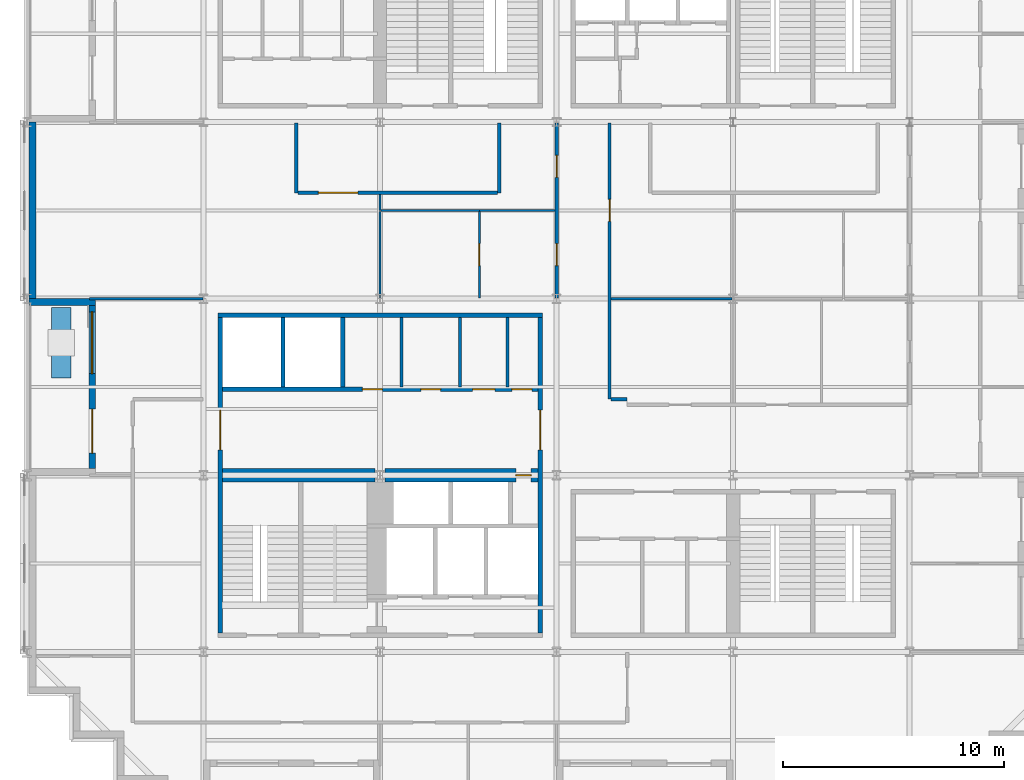
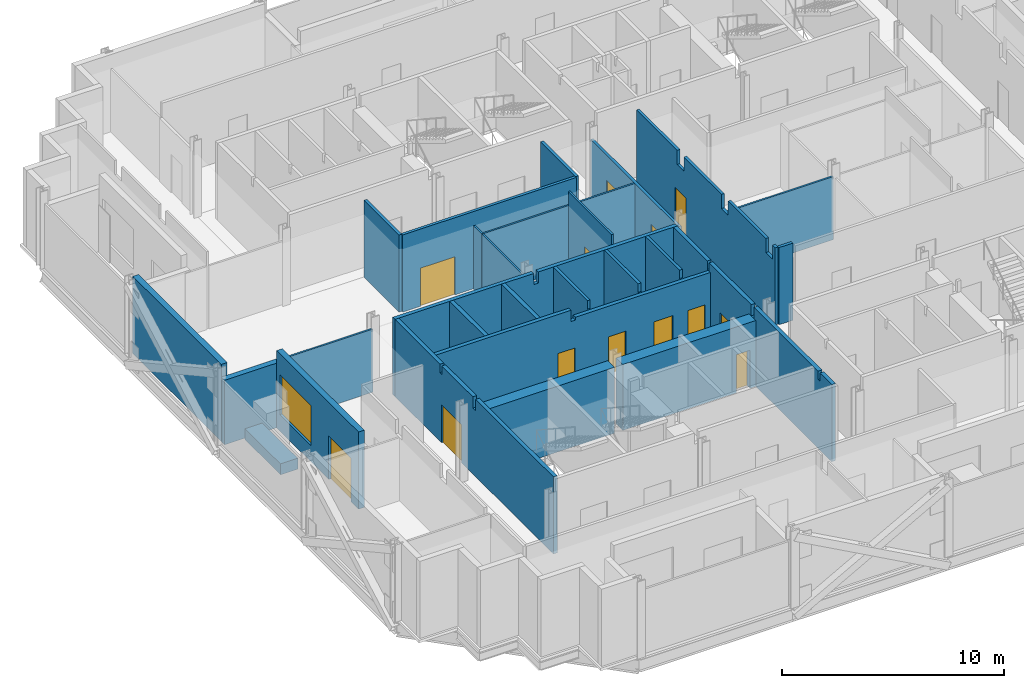
# One storey, part 7 of 15: 28 walls, 13 doors, 1 window, 14 openings.
"""IFC4 building model written with IfcOpenShell, lengths in metres."""

import ifcopenshell
import ifcopenshell.guid

model = None  # the IFC model being written
_history = None  # IfcOwnerHistory: only IFC2X3 demands one
_inside = {}  # id of a spatial element -> (the spatial element, [elements in it])
_under = {}  # id of a project, library or spatial element -> (it, [spatial elements below it])
_declared = {}  # id of a project -> (the project, [libraries it declares])
_typed = {}  # id of a type object -> (the type object, [elements of that type])
_made_of = {}  # id of a material, layer set ... -> (it, [elements and type objects made of it])


def new_model(schema):
    """Start an empty IFC model of exactly this schema.

    Asked for "IFC4X3", IfcOpenShell would pick the latest addendum, in which some entities
    have other attributes; the version numbers below select the first issue.
    IFC2X3 requires an IfcOwnerHistory on every rooted entity: one is made here for all.
    """
    global model, _history
    if schema == "IFC4X3":
        model = ifcopenshell.file(schema_version=(4, 3, 0, 0))
    else:
        model = ifcopenshell.file(schema=schema)
    _inside.clear()
    _under.clear()
    _declared.clear()
    _typed.clear()
    _made_of.clear()
    _history = None
    if model.schema == "IFC2X3":
        org = make("IfcOrganization", Name="unknown")
        user = make(
            "IfcPersonAndOrganization",
            ThePerson=make("IfcPerson", FamilyName="unknown"),
            TheOrganization=org,
        )
        app = make(
            "IfcApplication",
            ApplicationDeveloper=org,
            Version="unknown",
            ApplicationFullName="unknown",
            ApplicationIdentifier="unknown",
        )
        _history = make(
            "IfcOwnerHistory",
            OwningUser=user,
            OwningApplication=app,
            ChangeAction="ADDED",
            CreationDate=0,
        )
    return model


def make(cls, **values):
    """One entity of the class cls with the attributes given. An attribute that is None is left unset."""
    return model.create_entity(
        cls, **{name: value for name, value in values.items() if value is not None}
    )


def rooted(cls, **values):
    """An entity with a GlobalId (a new one), such as an element, a storey or a relation."""
    return make(cls, GlobalId=ifcopenshell.guid.new(), OwnerHistory=_history, **values)


def si_unit(unit_type, name, prefix=None):
    """IfcSIUnit, for example si_unit("LENGTHUNIT", "METRE", prefix="MILLI")."""
    return make("IfcSIUnit", UnitType=unit_type, Prefix=prefix, Name=name)


def assignment(units):
    """IfcUnitAssignment: the units of a project."""
    return None if units is None else make("IfcUnitAssignment", Units=units)


def point(xyz):
    """IfcCartesianPoint."""
    return None if xyz is None else make("IfcCartesianPoint", Coordinates=xyz)


def direction(xyz):
    """IfcDirection."""
    return None if xyz is None else make("IfcDirection", DirectionRatios=xyz)


def frame(location, z_axis=None, x_axis=None):
    """IfcAxis2Placement3D, a coordinate frame: its origin and axes. An axis left out is left unset."""
    return make(
        "IfcAxis2Placement3D",
        Location=point(location),
        Axis=direction(z_axis),
        RefDirection=direction(x_axis),
    )


def frame_2d(location, x_axis=None):
    """IfcAxis2Placement2D, a coordinate frame in the plane: its origin and x axis."""
    return make(
        "IfcAxis2Placement2D", Location=point(location), RefDirection=direction(x_axis)
    )


def origin():
    """The frame at (0, 0, 0) with its axes left unset."""
    return frame((0.0, 0.0, 0.0))


def place(relative_to, where):
    """IfcLocalPlacement: puts the frame where relative to a parent placement (None: the world)."""
    return make(
        "IfcLocalPlacement", PlacementRelTo=relative_to, RelativePlacement=where
    )


def context(
    kind, dimensions, precision=None, world=None, true_north=None, identifier=None
):
    """IfcGeometricRepresentationContext, for example the 3D "Model" context."""
    return make(
        "IfcGeometricRepresentationContext",
        ContextIdentifier=identifier,
        ContextType=kind,
        CoordinateSpaceDimension=dimensions,
        Precision=precision,
        WorldCoordinateSystem=world,
        TrueNorth=true_north,
    )


def subcontext(parent, identifier, kind, view, scale=None):
    """IfcGeometricRepresentationSubContext, for example "Body" below "Model"."""
    return make(
        "IfcGeometricRepresentationSubContext",
        ContextIdentifier=identifier,
        ContextType=kind,
        ParentContext=parent,
        TargetScale=scale,
        TargetView=view,
    )


def project(units=None, contexts=None):
    """IfcProject with its units and contexts."""
    return rooted(
        "IfcProject",
        Name="project",
        RepresentationContexts=contexts,
        UnitsInContext=assignment(units),
    )


def spatial(cls, under=None, at=None, **own):
    """A site, building, storey or space (cls), placed at a placement, below another one or the project."""
    s = rooted(cls, ObjectPlacement=at, **own)
    if under is not None:
        _under.setdefault(under.id(), (under, []))[1].append(s)
    return s


def polyline(points):
    """IfcPolyline through the points."""
    return make("IfcPolyline", Points=[point(p) for p in points])


def profile(cls, at=None, kind="AREA", **sizes):
    """A parametric profile (cls). Its sizes go by their IFC names, for example OverallWidth=200.0."""
    return make(cls, ProfileType=kind, Position=at, **sizes)


def rectangle(**sizes):
    """IfcRectangleProfileDef."""
    return profile("IfcRectangleProfileDef", **sizes)


def outline(outer, holes=None, kind="AREA"):
    """IfcArbitraryClosedProfileDef: a profile drawn as a closed curve; with holes, ...WithVoids."""
    if holes is None:
        return make("IfcArbitraryClosedProfileDef", ProfileType=kind, OuterCurve=outer)
    return make(
        "IfcArbitraryProfileDefWithVoids",
        ProfileType=kind,
        OuterCurve=outer,
        InnerCurves=holes,
    )


def extrude(swept, where, along, depth):
    """IfcExtrudedAreaSolid: the profile swept, set in the frame where, extruded along a direction by depth."""
    return make(
        "IfcExtrudedAreaSolid",
        SweptArea=swept,
        Position=where,
        ExtrudedDirection=direction(along),
        Depth=depth,
    )


def shape(context_of_items, identifier, shape_type, items):
    """IfcShapeRepresentation: the items that make up one representation, for example the "Body"."""
    return make(
        "IfcShapeRepresentation",
        ContextOfItems=context_of_items,
        RepresentationIdentifier=identifier,
        RepresentationType=shape_type,
        Items=items,
    )


def material(Name=None, Category=None):
    """IfcMaterial."""
    return make("IfcMaterial", Name=Name, Category=Category)


def layer(
    of_material, thickness, ventilated=None, Name=None, Category=None, Priority=None
):
    """IfcMaterialLayer: one layer of a wall or slab, of a material (None: an air gap)."""
    return make(
        "IfcMaterialLayer",
        Material=of_material,
        LayerThickness=thickness,
        IsVentilated=ventilated,
        Name=Name,
        Category=Category,
        Priority=Priority,
    )


def layer_set(layers, Name=None):
    """IfcMaterialLayerSet."""
    return make("IfcMaterialLayerSet", MaterialLayers=layers, LayerSetName=Name)


def made_of(thing, what):
    """Note that an element or type object is made of a material, layer set ...; save() writes the relation."""
    if what is not None:
        _made_of.setdefault(what.id(), (what, []))[1].append(thing)
    return thing


def type_object(cls, material=None, **own):
    """A type object (cls), such as IfcWallType, which elements share."""
    return made_of(rooted(cls, **own), material)


def element(
    cls,
    number,
    at=None,
    inside=None,
    cuts=None,
    type_object=None,
    material=None,
    context=None,
    identifier="Body",
    shape_type=None,
    held_by="IfcProductDefinitionShape",
    body=None,
    shapes=None,
    **own,
):
    """One element of the class cls, such as IfcWall. Its Tag is "e" and its number.

    at: its placement. inside: the storey or other place that contains it. cuts: it is an
    opening in that element (IfcRelVoidsElement). A single representation is given by context,
    identifier, shape_type and body (its items); several are given by shapes. held_by: the class
    of the entity that holds the representations. save() writes the other relations.
    """
    e = rooted(cls, Tag="e%d" % number, ObjectPlacement=at, **own)
    if body is not None:
        shapes = [shape(context, identifier, shape_type, body)]
    if shapes is not None:
        e.Representation = make(held_by, Representations=shapes)
    if inside is not None:
        _inside.setdefault(inside.id(), (inside, []))[1].append(e)
    if cuts is not None:
        rooted(
            "IfcRelVoidsElement", RelatingBuildingElement=cuts, RelatedOpeningElement=e
        )
    if type_object is not None:
        _typed.setdefault(type_object.id(), (type_object, []))[1].append(e)
    return made_of(e, material)


def fill(opening, filler):
    """IfcRelFillsElement: the door or window that sits in an opening."""
    return rooted(
        "IfcRelFillsElement",
        RelatingOpeningElement=opening,
        RelatedBuildingElement=filler,
    )


def aggregate(whole, parts):
    """IfcRelAggregates: a whole, such as a stair, and the parts it consists of."""
    return rooted("IfcRelAggregates", RelatingObject=whole, RelatedObjects=parts)


def save(model, path):
    """Write the relations noted so far, then the file.

    IfcRelAggregates (storeys below a building ...), IfcRelContainedInSpatialStructure (elements
    in a storey), IfcRelDefinesByType, IfcRelAssociatesMaterial and IfcRelDeclares: one each for
    every whole, place, type object, material and project.
    """
    for whole, parts in _under.values():
        aggregate(whole, parts)
    for where, things in _inside.values():
        rooted(
            "IfcRelContainedInSpatialStructure",
            RelatedElements=things,
            RelatingStructure=where,
        )
    for kind, things in _typed.values():
        rooted("IfcRelDefinesByType", RelatedObjects=things, RelatingType=kind)
    for what, things in _made_of.values():
        rooted("IfcRelAssociatesMaterial", RelatedObjects=things, RelatingMaterial=what)
    for by, libraries in _declared.values():
        rooted("IfcRelDeclares", RelatingContext=by, RelatedDefinitions=libraries)
    model.write(path)


model = new_model("IFC4")

# Units and contexts
model_context = context("Model", 3, precision=1e-05, world=origin(), true_north=direction((0.0, 1.0)))
body_context = subcontext(model_context, "Body", "Model", "MODEL_VIEW")
ifc_project = project(units=[si_unit("LENGTHUNIT", "METRE"), si_unit("AREAUNIT", "SQUARE_METRE"), si_unit("VOLUMEUNIT", "CUBIC_METRE"), si_unit("PLANEANGLEUNIT", "RADIAN"), si_unit("MASSUNIT", "GRAM", prefix="KILO")], contexts=[model_context])

# Site, building, storey
site_placement = place(None, origin())
site = spatial("IfcSite", under=ifc_project, at=site_placement, CompositionType="ELEMENT")
building_placement = place(site_placement, origin())
building = spatial("IfcBuilding", under=site, at=building_placement, Name="Immortelle Media Tower", CompositionType="ELEMENT")
storey_placement = place(building_placement, frame((0.0, 0.0, 92.0)))
storey = spatial("IfcBuildingStorey", under=building, at=storey_placement, Name="L17", CompositionType="ELEMENT", Elevation=92.0)

# Wall, opening, door
ifc_material_1 = material(Name="Fire-rated masonry blockwork", Category="masonry")
ifc_layer_1 = layer(ifc_material_1, 0.60009765625)
ifc_layer_set_1 = layer_set([ifc_layer_1], Name="Fire-rated masonry blockwork")
wall_type_1 = type_object("IfcWallType", Name="Core grid-line wall 600", PredefinedType="PARTITIONING", material=ifc_layer_set_1)
wall_1_placement = place(storey_placement, frame((16.218505859375, 16.0, 0.0), z_axis=(0.0, 0.0, 1.0), x_axis=(1.0, 0.0, 0.0)))
wall_1 = element("IfcWall", 1, at=wall_1_placement, inside=storey, type_object=wall_type_1, Name="Core grid-line wall SW", PredefinedType="PARTITIONING", context=body_context, shape_type="SweptSolid", body=[
    extrude(rectangle(XDim=6.931396484375, YDim=0.60009765625, at=frame_2d((3.4658203125, 0.0))), origin(), (0.0, 0.0, 1.0), 3.632080078125),
])
opening_1_placement = place(wall_1_placement, frame((6.63134765625, 0.0, 0.0), z_axis=(0.0, 0.0, 1.0), x_axis=(-1.0, 0.0, 0.0)))
opening_1 = element("IfcOpeningElement", 2, at=opening_1_placement, cuts=wall_1, Name="Opening N5-K015", PredefinedType="OPENING", context=body_context, shape_type="SweptSolid", body=[
    extrude(rectangle(XDim=0.699951171875, YDim=2.10009765625, at=frame_2d((0.35009765625, 1.050048828125))), frame((0.0, 0.31005859375, 0.0), z_axis=(0.0, -1.0, 0.0), x_axis=(1.0, 0.0, 0.0)), (0.0, 0.0, 1.0), 0.6201171875),
])
ifc_material_2 = material(Name="Galvanised steel door leaf and frame ASTM A653", Category="steel")
door_type_1 = type_object("IfcDoorType", Name="Service door 700 x 2100", OperationType="NOTDEFINED", PredefinedType="NOTDEFINED", material=ifc_material_2)
door_1_placement = place(opening_1_placement, origin())
door_1 = element("IfcDoor", 3, at=door_1_placement, inside=storey, type_object=door_type_1, Name="Service N5-K015", OperationType="SINGLE_SWING_RIGHT", OverallHeight=2.10009765625, OverallWidth=0.699951171875, PredefinedType="NOTDEFINED", context=body_context, shape_type="SweptSolid", body=[
    extrude(rectangle(XDim=0.699951171875, YDim=2.10009765625, at=frame_2d((0.35009765625, 1.050048828125))), frame((0.0, 0.02490234375, 0.0), z_axis=(0.0, -1.0, 0.0), x_axis=(1.0, 0.0, 0.0)), (0.0, 0.0, 1.0), 0.050048828125),
])
fill(opening_1, door_1)

# Walls
ifc_material_3 = material(Name="Fire-rated gypsum board", Category="gypsum")
ifc_layer_2 = layer(ifc_material_3, 0.02490234375)
ifc_material_4 = material(Name="Steel ASTM A653 SS Gr 50 stud frame with mineral wool", Category="steel")
ifc_layer_3 = layer(ifc_material_4, 0.10009765625)
ifc_layer_4 = layer(ifc_material_3, 0.02490234375)
ifc_layer_set_2 = layer_set([ifc_layer_2, ifc_layer_3, ifc_layer_4], Name="Steel ASTM A653 SS Gr 50 stud frame with mineral wool")
wall_type_2 = type_object("IfcWallType", Name="Core partition 150", PredefinedType="PARTITIONING", material=ifc_layer_set_2)
for number, where, z_axis, x_axis, name in (
    (4, (16.97509765625, 20.0, 0.0), (0.0, 0.0, 1.0), (0.0, 1.0, 0.0), "Core partition SW"),
    (5, (19.625, 20.0, 0.0), (0.0, 0.0, 1.0), (0.0, 1.0, 0.0), "Core partition SW"),
    (6, (21.77490234375, 20.0, 0.0), (0.0, 0.0, 1.0), (0.0, 1.0, 0.0), "Core partition SW"),
):
    element("IfcWall", number, at=place(storey_placement, frame(where, z_axis=z_axis, x_axis=x_axis)), inside=storey, type_object=wall_type_2, Name=name, PredefinedType="PARTITIONING", context=body_context, shape_type="SweptSolid", body=[
        extrude(outline(polyline([(0.0, 0.0), (3.14990234375, 0.0), (3.14990234375, 4.25), (0.08154296875, 4.25), (0.08056640625, 3.7890625), (0.0, 3.7890625), (0.0, 0.0)])), frame((0.0, 0.074951171875, 0.0), z_axis=(0.0, -1.0, 0.0), x_axis=(1.0, 0.0, 0.0)), (0.0, 0.0, 1.0), 0.14990234375),
    ])
ifc_layer_5 = layer(ifc_material_3, 0.03759765625)
ifc_layer_6 = layer(ifc_material_4, 0.125)
ifc_layer_7 = layer(ifc_material_3, 0.03759765625)
ifc_layer_set_3 = layer_set([ifc_layer_5, ifc_layer_6, ifc_layer_7], Name="Steel ASTM A653 SS Gr 50 stud frame with mineral wool")
wall_type_3 = type_object("IfcWallType", Name="Core shaft wall 200", PredefinedType="PARTITIONING", material=ifc_layer_set_3)
wall_2_placement = place(storey_placement, frame((8.64990234375, 23.25, 0.0), z_axis=(0.0, 0.0, 1.0), x_axis=(1.0, 0.0, 0.0)))
element("IfcWall", 7, at=wall_2_placement, inside=storey, type_object=wall_type_3, Name="Core shaft wall SW", PredefinedType="PARTITIONING", context=body_context, shape_type="SweptSolid", body=[
    extrude(outline(polyline([(0.0, 0.0), (14.7001953125, 0.0), (14.699951171875, 4.25), (7.469482421875, 4.25), (7.468505859375, 3.632080078125), (7.2314453125, 3.632080078125), (7.23046875, 4.25), (0.0, 4.25), (0.0, 0.0)])), frame((0.0, 0.10009765625, 0.0), z_axis=(0.0, -1.0, 0.0), x_axis=(1.0, 0.0, 0.0)), (0.0, 0.0, 1.0), 0.199951171875),
])

# Wall, openings, doors
wall_3_placement = place(storey_placement, frame((8.85009765625, 19.89990234375, 0.0), z_axis=(0.0, 0.0, 1.0), x_axis=(1.0, 0.0, 0.0)))
wall_3 = element("IfcWall", 8, at=wall_3_placement, inside=storey, type_object=wall_type_3, Name="Core shaft wall SW", PredefinedType="PARTITIONING", context=body_context, shape_type="SweptSolid", body=[
    extrude(outline(polyline([(0.0, 0.0), (14.2998046875, 0.0), (14.300048828125, 3.7890625), (7.26953125, 3.7890625), (7.2685546875, 3.632080078125), (7.031494140625, 3.632080078125), (7.030517578125, 4.25), (0.0, 4.25), (0.0, 0.0)])), frame((0.0, 0.10009765625, 0.0), z_axis=(0.0, -1.0, 0.0), x_axis=(1.0, 0.0, 0.0)), (0.0, 0.0, 1.0), 0.199951171875),
])
opening_2_placement = place(wall_3_placement, frame((6.35009765625, 0.0, 0.0)))
opening_2 = element("IfcOpeningElement", 9, at=opening_2_placement, cuts=wall_3, Name="Opening N5-K040", PredefinedType="OPENING", context=body_context, shape_type="SweptSolid", body=[
    extrude(rectangle(XDim=0.89990234375, YDim=2.10009765625, at=frame_2d((0.449951171875, 1.050048828125))), frame((0.0, 0.10986328125, 0.0), z_axis=(0.0, -1.0, 0.0), x_axis=(1.0, 0.0, 0.0)), (0.0, 0.0, 1.0), 0.219970703125),
])
opening_3_placement = place(wall_3_placement, frame((9.0, 0.0, 0.0)))
opening_3 = element("IfcOpeningElement", 10, at=opening_3_placement, cuts=wall_3, Name="Opening N5-K041", PredefinedType="OPENING", context=body_context, shape_type="SweptSolid", body=[
    extrude(rectangle(XDim=0.89990234375, YDim=2.10009765625, at=frame_2d((0.449951171875, 1.050048828125))), frame((0.0, 0.10986328125, 0.0), z_axis=(0.0, -1.0, 0.0), x_axis=(1.0, 0.0, 0.0)), (0.0, 0.0, 1.0), 0.219970703125),
])
opening_4_placement = place(wall_3_placement, frame((11.35009765625, 0.0, 0.0)))
opening_4 = element("IfcOpeningElement", 11, at=opening_4_placement, cuts=wall_3, Name="Opening N5-K042", PredefinedType="OPENING", context=body_context, shape_type="SweptSolid", body=[
    extrude(rectangle(XDim=1.0, YDim=2.10009765625, at=frame_2d((0.5, 1.050048828125))), frame((0.0, 0.10986328125, 0.0), z_axis=(0.0, -1.0, 0.0), x_axis=(1.0, 0.0, 0.0)), (0.0, 0.0, 1.0), 0.219970703125),
])
opening_5_placement = place(wall_3_placement, frame((13.125, 0.0, 0.0)))
opening_5 = element("IfcOpeningElement", 12, at=opening_5_placement, cuts=wall_3, Name="Opening N5-K043", PredefinedType="OPENING", context=body_context, shape_type="SweptSolid", body=[
    extrude(rectangle(XDim=0.89990234375, YDim=2.10009765625, at=frame_2d((0.449951171875, 1.050048828125))), frame((0.0, 0.10986328125, 0.0), z_axis=(0.0, -1.0, 0.0), x_axis=(1.0, 0.0, 0.0)), (0.0, 0.0, 1.0), 0.219970703125),
])
ifc_material_5 = material(Name="Timber", Category="wood")
door_type_2 = type_object("IfcDoorType", Name="Accessible toilet door 1000 x 2100", OperationType="NOTDEFINED", PredefinedType="NOTDEFINED", material=ifc_material_5)
door_2_placement = place(opening_4_placement, origin())
door_2 = element("IfcDoor", 13, at=door_2_placement, inside=storey, type_object=door_type_2, Name="Accessible toilet N5-K042", OperationType="SINGLE_SWING_LEFT", OverallHeight=2.10009765625, OverallWidth=1.0, PredefinedType="NOTDEFINED", context=body_context, shape_type="SweptSolid", body=[
    extrude(rectangle(XDim=1.0, YDim=2.10009765625, at=frame_2d((0.5, 1.050048828125))), frame((0.0, 0.02490234375, 0.0), z_axis=(0.0, -1.0, 0.0), x_axis=(1.0, 0.0, 0.0)), (0.0, 0.0, 1.0), 0.050048828125),
])
fill(opening_4, door_2)
door_type_3 = type_object("IfcDoorType", Name="Service door 900 x 2100", OperationType="NOTDEFINED", PredefinedType="NOTDEFINED", material=ifc_material_2)
door_3_placement = place(opening_5_placement, origin())
door_3 = element("IfcDoor", 14, at=door_3_placement, inside=storey, type_object=door_type_3, Name="Service N5-K043", OperationType="SINGLE_SWING_RIGHT", OverallHeight=2.10009765625, OverallWidth=0.89990234375, PredefinedType="NOTDEFINED", context=body_context, shape_type="SweptSolid", body=[
    extrude(rectangle(XDim=0.89990234375, YDim=2.10009765625, at=frame_2d((0.449951171875, 1.050048828125))), frame((0.0, 0.02490234375, 0.0), z_axis=(0.0, -1.0, 0.0), x_axis=(1.0, 0.0, 0.0)), (0.0, 0.0, 1.0), 0.050048828125),
])
fill(opening_5, door_3)
door_type_4 = type_object("IfcDoorType", Name="Toilet door 900 x 2100", OperationType="NOTDEFINED", PredefinedType="NOTDEFINED", material=ifc_material_5)
door_4_placement = place(opening_2_placement, origin())
door_4 = element("IfcDoor", 15, at=door_4_placement, inside=storey, type_object=door_type_4, Name="Toilet N5-K040", OperationType="SINGLE_SWING_RIGHT", OverallHeight=2.10009765625, OverallWidth=0.89990234375, PredefinedType="NOTDEFINED", context=body_context, shape_type="SweptSolid", body=[
    extrude(rectangle(XDim=0.89990234375, YDim=2.10009765625, at=frame_2d((0.449951171875, 1.050048828125))), frame((0.0, 0.02490234375, 0.0), z_axis=(0.0, -1.0, 0.0), x_axis=(1.0, 0.0, 0.0)), (0.0, 0.0, 1.0), 0.050048828125),
])
fill(opening_2, door_4)
door_5_placement = place(opening_3_placement, origin())
door_5 = element("IfcDoor", 16, at=door_5_placement, inside=storey, type_object=door_type_4, Name="Toilet N5-K041", OperationType="SINGLE_SWING_LEFT", OverallHeight=2.10009765625, OverallWidth=0.89990234375, PredefinedType="NOTDEFINED", context=body_context, shape_type="SweptSolid", body=[
    extrude(rectangle(XDim=0.89990234375, YDim=2.10009765625, at=frame_2d((0.449951171875, 1.050048828125))), frame((0.0, 0.02490234375, 0.0), z_axis=(0.0, -1.0, 0.0), x_axis=(1.0, 0.0, 0.0)), (0.0, 0.0, 1.0), 0.050048828125),
])
fill(opening_3, door_5)

# Walls
for number, where, z_axis, x_axis, name in (
    (17, (11.60009765625, 20.0, 0.0), (0.0, 0.0, 1.0), (0.0, 1.0, 0.0), "Core shaft wall SW"),
    (18, (14.300048828125, 20.0, 0.0), (0.0, 0.0, 1.0), (0.0, 1.0, 0.0), "Core shaft wall SW"),
):
    element("IfcWall", number, at=place(storey_placement, frame(where, z_axis=z_axis, x_axis=x_axis)), inside=storey, type_object=wall_type_3, Name=name, PredefinedType="PARTITIONING", context=body_context, shape_type="SweptSolid", body=[
        extrude(rectangle(XDim=3.14990234375, YDim=0.199951171875, at=frame_2d((1.574951171875, 0.0))), origin(), (0.0, 0.0, 1.0), 4.25),
    ])

# Wall, opening, door
wall_4_placement = place(storey_placement, frame((23.25, 8.85009765625, 0.0), z_axis=(0.0, 0.0, 1.0), x_axis=(0.0, 1.0, 0.0)))
wall_4 = element("IfcWall", 19, at=wall_4_placement, inside=storey, type_object=wall_type_3, Name="Core shaft wall SW", PredefinedType="PARTITIONING", context=body_context, shape_type="SweptSolid", body=[
    extrude(outline(polyline([(0.0, 0.0), (14.2998046875, 0.0), (14.300048828125, 4.25), (11.2314453125, 4.25), (11.23046875, 3.7890625), (11.069580078125, 3.7890625), (11.068603515625, 4.25), (7.26953125, 4.25), (7.2685546875, 3.632080078125), (7.031494140625, 3.632080078125), (7.030517578125, 4.25), (1.2314453125, 4.25), (1.23046875, 3.7890625), (1.069580078125, 3.7890625), (1.068603515625, 4.25), (0.0, 4.25), (0.0, 0.0)])), frame((0.0, 0.10009765625, 0.0), z_axis=(0.0, -1.0, 0.0), x_axis=(1.0, 0.0, 0.0)), (0.0, 0.0, 1.0), 0.199951171875),
])
opening_6_placement = place(wall_4_placement, frame((8.300048828125, 0.0, 0.0)))
opening_6 = element("IfcOpeningElement", 20, at=opening_6_placement, cuts=wall_4, Name="Opening N5-K016", PredefinedType="OPENING", context=body_context, shape_type="SweptSolid", body=[
    extrude(rectangle(XDim=1.800048828125, YDim=2.10009765625, at=frame_2d((0.89990234375, 1.050048828125))), frame((0.0, 0.10986328125, 0.0), z_axis=(0.0, -1.0, 0.0), x_axis=(1.0, 0.0, 0.0)), (0.0, 0.0, 1.0), 0.219970703125),
])
door_type_5 = type_object("IfcDoorType", Name="Lift lobby door 1800 x 2100", OperationType="DOUBLE_DOOR_SINGLE_SWING", PredefinedType="NOTDEFINED", material=ifc_material_2)
door_6_placement = place(opening_6_placement, origin())
door_6 = element("IfcDoor", 21, at=door_6_placement, inside=storey, type_object=door_type_5, Name="Lift lobby N5-K016", OperationType="DOUBLE_DOOR_SINGLE_SWING", OverallHeight=2.10009765625, OverallWidth=1.800048828125, PredefinedType="NOTDEFINED", context=body_context, shape_type="SweptSolid", body=[
    extrude(rectangle(XDim=1.800048828125, YDim=2.10009765625, at=frame_2d((0.89990234375, 1.050048828125))), frame((0.0, 0.02490234375, 0.0), z_axis=(0.0, -1.0, 0.0), x_axis=(1.0, 0.0, 0.0)), (0.0, 0.0, 1.0), 0.050048828125),
])
fill(opening_6, door_6)

# Wall
ifc_layer_8 = layer(ifc_material_3, 0.012451171875)
ifc_layer_9 = layer(ifc_material_4, 0.125)
ifc_layer_10 = layer(ifc_material_3, 0.012451171875)
ifc_layer_set_4 = layer_set([ifc_layer_8, ifc_layer_9, ifc_layer_10], Name="Steel ASTM A653 SS Gr 50 stud frame with mineral wool")
wall_type_4 = type_object("IfcWallType", Name="Corridor wall 150", PredefinedType="PARTITIONING", material=ifc_layer_set_4)
wall_5_placement = place(storey_placement, frame((26.47509765625, 19.449951171875, 0.0), z_axis=(0.0, 0.0, 1.0), x_axis=(1.0, 0.0, 0.0)))
element("IfcWall", 22, at=wall_5_placement, inside=storey, type_object=wall_type_4, Name="Partition L17-019", PredefinedType="PARTITIONING", context=body_context, shape_type="SweptSolid", body=[
    extrude(rectangle(XDim=0.724853515625, YDim=0.14990234375, at=frame_2d((0.3623046875, 0.0))), origin(), (0.0, 0.0, 1.0), 4.25),
])

# Wall, opening, door
wall_6_placement = place(storey_placement, frame((26.39990234375, 19.449951171875, 0.0), z_axis=(0.0, 0.0, 1.0), x_axis=(0.0, 1.0, 0.0)))
wall_6 = element("IfcWall", 23, at=wall_6_placement, inside=storey, type_object=wall_type_4, Name="Partition L17-020", PredefinedType="PARTITIONING", context=body_context, shape_type="SweptSolid", body=[
    extrude(outline(polyline([(0.0, 0.0), (12.52001953125, 0.0), (12.52001953125, 4.25), (8.85009765625, 4.25), (8.847900390625, 3.469970703125), (8.251953125, 3.469970703125), (8.25, 4.25), (4.85009765625, 4.25), (4.847900390625, 3.469970703125), (4.251953125, 3.469970703125), (4.25, 4.25), (0.85009765625, 4.25), (0.847900390625, 3.469970703125), (0.251953125, 3.469970703125), (0.25, 4.25), (0.0, 4.25), (0.0, 0.0)])), frame((0.0, 0.074951171875, 0.0), z_axis=(0.0, -1.0, 0.0), x_axis=(1.0, 0.0, 0.0)), (0.0, 0.0, 1.0), 0.14990234375),
])
opening_7_placement = place(wall_6_placement, frame((9.050048828125, 0.0, 0.0), z_axis=(0.0, 0.0, 1.0), x_axis=(-1.0, 0.0, 0.0)))
opening_7 = element("IfcOpeningElement", 24, at=opening_7_placement, cuts=wall_6, Name="Opening N5-F020", PredefinedType="OPENING", context=body_context, shape_type="SweptSolid", body=[
    extrude(rectangle(XDim=1.0, YDim=2.10009765625, at=frame_2d((0.5, 1.050048828125))), frame((0.0, 0.0849609375, 0.0), z_axis=(0.0, -1.0, 0.0), x_axis=(1.0, 0.0, 0.0)), (0.0, 0.0, 1.0), 0.169921875),
])
ifc_material_6 = material(Name="Timber veneered door leaf, galvanised steel frame ASTM A653", Category="steel")
door_type_6 = type_object("IfcDoorType", Name="Room door 1000 x 2100", OperationType="NOTDEFINED", PredefinedType="DOOR", material=ifc_material_6)
door_7_placement = place(opening_7_placement, origin())
door_7 = element("IfcDoor", 25, at=door_7_placement, inside=storey, type_object=door_type_6, Name="Door N5-F020", OperationType="SINGLE_SWING_RIGHT", OverallHeight=2.10009765625, OverallWidth=1.0, PredefinedType="DOOR", context=body_context, shape_type="SweptSolid", body=[
    extrude(rectangle(XDim=1.0, YDim=2.10009765625, at=frame_2d((0.5, 1.050048828125))), frame((0.0, 0.02490234375, 0.0), z_axis=(0.0, -1.0, 0.0), x_axis=(1.0, 0.0, 0.0)), (0.0, 0.0, 1.0), 0.050048828125),
])
fill(opening_7, door_7)

# Wall, openings, doors
wall_7_placement = place(storey_placement, frame((24.0, 24.030029296875, 0.0), z_axis=(0.0, 0.0, 1.0), x_axis=(0.0, 1.0, 0.0)))
wall_7 = element("IfcWall", 26, at=wall_7_placement, inside=storey, type_object=wall_type_4, Name="Partition L17-031", PredefinedType="PARTITIONING", context=body_context, shape_type="SweptSolid", body=[
    extrude(rectangle(XDim=7.93994140625, YDim=0.14990234375, at=frame_2d((3.969970703125, 0.0))), origin(), (0.0, 0.0, 1.0), 3.469970703125),
])
opening_8_placement = place(wall_7_placement, frame((1.469970703125, 0.0, 0.0)))
opening_8 = element("IfcOpeningElement", 27, at=opening_8_placement, cuts=wall_7, Name="Opening N5-F017", PredefinedType="OPENING", context=body_context, shape_type="SweptSolid", body=[
    extrude(rectangle(XDim=1.0, YDim=2.10009765625, at=frame_2d((0.5, 1.050048828125))), frame((0.0, 0.0849609375, 0.0), z_axis=(0.0, -1.0, 0.0), x_axis=(1.0, 0.0, 0.0)), (0.0, 0.0, 1.0), 0.169921875),
])
opening_9_placement = place(wall_7_placement, frame((5.469970703125, 0.0, 0.0)))
opening_9 = element("IfcOpeningElement", 28, at=opening_9_placement, cuts=wall_7, Name="Opening N5-F019", PredefinedType="OPENING", context=body_context, shape_type="SweptSolid", body=[
    extrude(rectangle(XDim=1.0, YDim=2.10009765625, at=frame_2d((0.5, 1.050048828125))), frame((0.0, 0.0849609375, 0.0), z_axis=(0.0, -1.0, 0.0), x_axis=(1.0, 0.0, 0.0)), (0.0, 0.0, 1.0), 0.169921875),
])
door_8_placement = place(opening_8_placement, origin())
door_8 = element("IfcDoor", 29, at=door_8_placement, inside=storey, type_object=door_type_6, Name="Door N5-F017", OperationType="SINGLE_SWING_RIGHT", OverallHeight=2.10009765625, OverallWidth=1.0, PredefinedType="DOOR", context=body_context, shape_type="SweptSolid", body=[
    extrude(rectangle(XDim=1.0, YDim=2.10009765625, at=frame_2d((0.5, 1.050048828125))), frame((0.0, 0.02490234375, 0.0), z_axis=(0.0, -1.0, 0.0), x_axis=(1.0, 0.0, 0.0)), (0.0, 0.0, 1.0), 0.050048828125),
])
fill(opening_8, door_8)
door_9_placement = place(opening_9_placement, origin())
door_9 = element("IfcDoor", 30, at=door_9_placement, inside=storey, type_object=door_type_6, Name="Door N5-F019", OperationType="SINGLE_SWING_RIGHT", OverallHeight=2.10009765625, OverallWidth=1.0, PredefinedType="DOOR", context=body_context, shape_type="SweptSolid", body=[
    extrude(rectangle(XDim=1.0, YDim=2.10009765625, at=frame_2d((0.5, 1.050048828125))), frame((0.0, 0.02490234375, 0.0), z_axis=(0.0, -1.0, 0.0), x_axis=(1.0, 0.0, 0.0)), (0.0, 0.0, 1.0), 0.050048828125),
])
fill(opening_9, door_9)

# Wall, opening, door
wall_8_placement = place(storey_placement, frame((12.27490234375, 28.800048828125, 0.0), z_axis=(0.0, 0.0, 1.0), x_axis=(1.0, 0.0, 0.0)))
wall_8 = element("IfcWall", 31, at=wall_8_placement, inside=storey, type_object=wall_type_4, Name="Partition L17-038", PredefinedType="PARTITIONING", context=body_context, shape_type="SweptSolid", body=[
    extrude(rectangle(XDim=9.050048828125, YDim=0.14990234375, at=frame_2d((4.52490234375, 0.0))), origin(), (0.0, 0.0, 1.0), 4.25),
])
opening_10_placement = place(wall_8_placement, frame((0.925048828125, 0.0, 0.0)))
opening_10 = element("IfcOpeningElement", 32, at=opening_10_placement, cuts=wall_8, Name="Opening N5-F021", PredefinedType="OPENING", context=body_context, shape_type="SweptSolid", body=[
    extrude(rectangle(XDim=1.800048828125, YDim=2.10009765625, at=frame_2d((0.89990234375, 1.050048828125))), frame((0.0, 0.0849609375, 0.0), z_axis=(0.0, -1.0, 0.0), x_axis=(1.0, 0.0, 0.0)), (0.0, 0.0, 1.0), 0.169921875),
])
door_type_7 = type_object("IfcDoorType", Name="Room door 1800 x 2100", OperationType="DOUBLE_DOOR_SINGLE_SWING", PredefinedType="DOOR", material=ifc_material_6)
door_10_placement = place(opening_10_placement, origin())
door_10 = element("IfcDoor", 33, at=door_10_placement, inside=storey, type_object=door_type_7, Name="Door N5-F021", OperationType="DOUBLE_DOOR_SINGLE_SWING", OverallHeight=2.10009765625, OverallWidth=1.800048828125, PredefinedType="DOOR", context=body_context, shape_type="SweptSolid", body=[
    extrude(rectangle(XDim=1.800048828125, YDim=2.10009765625, at=frame_2d((0.89990234375, 1.050048828125))), frame((0.0, 0.02490234375, 0.0), z_axis=(0.0, -1.0, 0.0), x_axis=(1.0, 0.0, 0.0)), (0.0, 0.0, 1.0), 0.050048828125),
])
fill(opening_10, door_10)

# Walls
for number, where, z_axis, x_axis, name in (
    (34, (12.199951171875, 28.800048828125, 0.0), (0.0, 0.0, 1.0), (0.0, 1.0, 0.0), "Partition L17-039"),
    (35, (21.39990234375, 28.800048828125, 0.0), (0.0, 0.0, 1.0), (0.0, 1.0, 0.0), "Partition L17-040"),
):
    element("IfcWall", number, at=place(storey_placement, frame(where, z_axis=z_axis, x_axis=x_axis)), inside=storey, type_object=wall_type_4, Name=name, PredefinedType="PARTITIONING", context=body_context, shape_type="SweptSolid", body=[
        extrude(rectangle(XDim=3.169921875, YDim=0.14990234375, at=frame_2d((1.5849609375, 0.0))), origin(), (0.0, 0.0, 1.0), 4.25),
    ])
ifc_material_7 = material(Name="Pale aluminium cladding panel", Category="aluminium")
ifc_layer_11 = layer(ifc_material_7, 0.030029296875)
ifc_layer_12 = layer(ifc_material_4, 0.257568359375)
ifc_material_8 = material(Name="Moisture-resistant gypsum board", Category="gypsum")
ifc_layer_13 = layer(ifc_material_8, 0.012451171875)
ifc_layer_set_5 = layer_set([ifc_layer_11, ifc_layer_12, ifc_layer_13], Name="Steel ASTM A653 SS Gr 50 stud frame with mineral wool")
wall_type_5 = type_object("IfcWallType", Name="Facade wall 300", PredefinedType="SOLIDWALL", material=ifc_layer_set_5)
wall_9_placement = place(storey_placement, frame((0.25, 32.0, 0.0), z_axis=(0.0, 0.0, 1.0), x_axis=(0.0, -1.0, 0.0)))
element("IfcWall", 36, at=wall_9_placement, inside=storey, type_object=wall_type_5, Name="Facade wall L17 W0", PredefinedType="SOLIDWALL", context=body_context, shape_type="SweptSolid", body=[
    extrude(rectangle(XDim=8.0, YDim=0.300048828125, at=frame_2d((4.0, 0.0))), origin(), (0.0, 0.0, 1.0), 4.25),
])

# Wall, openings, door, window
wall_10_placement = place(storey_placement, frame((2.949951171875, 23.699951171875, 0.0), z_axis=(0.0, 0.0, 1.0), x_axis=(0.0, -1.0, 0.0)))
wall_10 = element("IfcWall", 37, at=wall_10_placement, inside=storey, type_object=wall_type_5, Name="Loggia wall L17 W0", PredefinedType="SOLIDWALL", context=body_context, shape_type="SweptSolid", body=[
    extrude(rectangle(XDim=7.39990234375, YDim=0.300048828125, at=frame_2d((3.699951171875, 0.0))), origin(), (0.0, 0.0, 1.0), 4.25),
])
opening_11_placement = place(wall_10_placement, frame((0.300048828125, 0.0, 0.89990234375)))
opening_11 = element("IfcOpeningElement", 38, at=opening_11_placement, cuts=wall_10, Name="Opening W1", PredefinedType="OPENING", context=body_context, shape_type="SweptSolid", body=[
    extrude(rectangle(XDim=2.800048828125, YDim=2.199951171875, at=frame_2d((1.39990234375, 1.10009765625))), frame((0.0, 0.159912109375, 0.0), z_axis=(0.0, -1.0, 0.0), x_axis=(1.0, 0.0, 0.0)), (0.0, 0.0, 1.0), 0.320068359375),
])
opening_12_placement = place(wall_10_placement, frame((4.699951171875, 0.0, 0.0)))
opening_12 = element("IfcOpeningElement", 39, at=opening_12_placement, cuts=wall_10, Name="Opening N5-E002", PredefinedType="OPENING", context=body_context, shape_type="SweptSolid", body=[
    extrude(rectangle(XDim=2.0, YDim=2.39990234375, at=frame_2d((1.0, 1.199951171875))), frame((0.0, 0.159912109375, 0.0), z_axis=(0.0, -1.0, 0.0), x_axis=(1.0, 0.0, 0.0)), (0.0, 0.0, 1.0), 0.320068359375),
])
ifc_material_9 = material(Name="Aluminium frame, glazed leaves", Category="aluminium")
door_type_8 = type_object("IfcDoorType", Name="Loggia door 2000 x 2400", OperationType="DOUBLE_DOOR_SINGLE_SWING", PredefinedType="DOOR", material=ifc_material_9)
door_11_placement = place(opening_12_placement, origin())
door_11 = element("IfcDoor", 40, at=door_11_placement, inside=storey, type_object=door_type_8, Name="Door N5-E002", OperationType="DOUBLE_DOOR_SINGLE_SWING", OverallHeight=2.39990234375, OverallWidth=2.0, PredefinedType="DOOR", context=body_context, shape_type="SweptSolid", body=[
    extrude(rectangle(XDim=2.0, YDim=2.39990234375, at=frame_2d((1.0, 1.199951171875))), frame((0.0, 0.02490234375, 0.0), z_axis=(0.0, -1.0, 0.0), x_axis=(1.0, 0.0, 0.0)), (0.0, 0.0, 1.0), 0.050048828125),
])
fill(opening_12, door_11)
ifc_material_10 = material(Name="Aluminium frame", Category="aluminium")
window_type = type_object("IfcWindowType", Name="Window 2800 x 2200", PartitioningType="SINGLE_PANEL", PredefinedType="WINDOW", material=ifc_material_10)
window_placement = place(opening_11_placement, origin())
window = element("IfcWindow", 41, at=window_placement, inside=storey, type_object=window_type, Name="Window L17 L17-R0-B2", OverallHeight=2.199951171875, OverallWidth=2.800048828125, PartitioningType="SINGLE_PANEL", PredefinedType="WINDOW", context=body_context, shape_type="SweptSolid", body=[
    extrude(rectangle(XDim=2.800048828125, YDim=2.199951171875, at=frame_2d((1.39990234375, 1.10009765625))), frame((0.0, 0.030029296875, 0.0), z_axis=(0.0, -1.0, 0.0), x_axis=(1.0, 0.0, 0.0)), (0.0, 0.0, 1.0), 0.06005859375),
])
fill(opening_11, window)

# Walls
wall_11_placement = place(storey_placement, frame((0.10009765625, 23.85009765625, 0.0), z_axis=(0.0, 0.0, 1.0), x_axis=(1.0, 0.0, 0.0)))
element("IfcWall", 42, at=wall_11_placement, inside=storey, type_object=wall_type_5, Name="Loggia cheek wall L17 W", PredefinedType="SOLIDWALL", context=body_context, shape_type="SweptSolid", body=[
    extrude(rectangle(XDim=3.0, YDim=0.300048828125, at=frame_2d((1.5, 0.0))), origin(), (0.0, 0.0, 1.0), 3.555908203125),
])
ifc_material_11 = material(Name="Gypsum board", Category="gypsum")
ifc_layer_14 = layer(ifc_material_11, 0.012451171875)
ifc_layer_15 = layer(ifc_material_4, 0.074951171875)
ifc_layer_16 = layer(ifc_material_11, 0.012451171875)
ifc_layer_set_6 = layer_set([ifc_layer_14, ifc_layer_15, ifc_layer_16], Name="Steel ASTM A653 SS Gr 50 stud frame with mineral wool")
wall_type_6 = type_object("IfcWallType", Name="Partition 100", PredefinedType="PARTITIONING", material=ifc_layer_set_6)
wall_12_placement = place(storey_placement, frame((2.830078125, 24.0, 0.0), z_axis=(0.0, 0.0, 1.0), x_axis=(1.0, 0.0, 0.0)))
element("IfcWall", 43, at=wall_12_placement, inside=storey, type_object=wall_type_6, Name="Partition L17-022", PredefinedType="PARTITIONING", context=body_context, shape_type="SweptSolid", body=[
    extrude(rectangle(XDim=5.139892578125, YDim=0.10009765625, at=frame_2d((2.56982421875, 0.0))), origin(), (0.0, 0.0, 1.0), 3.469970703125),
])
wall_13_placement = place(storey_placement, frame((26.47509765625, 24.0, 0.0), z_axis=(0.0, 0.0, 1.0), x_axis=(1.0, 0.0, 0.0)))
element("IfcWall", 44, at=wall_13_placement, inside=storey, type_object=wall_type_6, Name="Partition L17-023", PredefinedType="PARTITIONING", context=body_context, shape_type="SweptSolid", body=[
    extrude(rectangle(XDim=5.474853515625, YDim=0.10009765625, at=frame_2d((2.7373046875, 0.0))), origin(), (0.0, 0.0, 1.0), 3.469970703125),
])
wall_14_placement = place(storey_placement, frame((16.0, 24.030029296875, 0.0), z_axis=(0.0, 0.0, 1.0), x_axis=(0.0, 1.0, 0.0)))
element("IfcWall", 45, at=wall_14_placement, inside=storey, type_object=wall_type_6, Name="Partition L17-029", PredefinedType="PARTITIONING", context=body_context, shape_type="SweptSolid", body=[
    extrude(rectangle(XDim=3.919921875, YDim=0.10009765625, at=frame_2d((1.9599609375, 0.0))), origin(), (0.0, 0.0, 1.0), 3.469970703125),
])

# Wall, opening, door
wall_15_placement = place(storey_placement, frame((20.5, 24.030029296875, 0.0), z_axis=(0.0, 0.0, 1.0), x_axis=(0.0, 1.0, 0.0)))
wall_15 = element("IfcWall", 46, at=wall_15_placement, inside=storey, type_object=wall_type_6, Name="Partition L17-030", PredefinedType="PARTITIONING", context=body_context, shape_type="SweptSolid", body=[
    extrude(rectangle(XDim=3.919921875, YDim=0.10009765625, at=frame_2d((1.9599609375, 0.0))), origin(), (0.0, 0.0, 1.0), 4.25),
])
opening_13_placement = place(wall_15_placement, frame((1.469970703125, 0.0, 0.0)))
opening_13 = element("IfcOpeningElement", 47, at=opening_13_placement, cuts=wall_15, Name="Opening N5-F018", PredefinedType="OPENING", context=body_context, shape_type="SweptSolid", body=[
    extrude(rectangle(XDim=1.0, YDim=2.10009765625, at=frame_2d((0.5, 1.050048828125))), frame((0.0, 0.06005859375, 0.0), z_axis=(0.0, -1.0, 0.0), x_axis=(1.0, 0.0, 0.0)), (0.0, 0.0, 1.0), 0.1201171875),
])
door_12_placement = place(opening_13_placement, origin())
door_12 = element("IfcDoor", 48, at=door_12_placement, inside=storey, type_object=door_type_6, Name="Door N5-F018", OperationType="SINGLE_SWING_RIGHT", OverallHeight=2.10009765625, OverallWidth=1.0, PredefinedType="DOOR", context=body_context, shape_type="SweptSolid", body=[
    extrude(rectangle(XDim=1.0, YDim=2.10009765625, at=frame_2d((0.5, 1.050048828125))), frame((0.0, 0.02490234375, 0.0), z_axis=(0.0, -1.0, 0.0), x_axis=(1.0, 0.0, 0.0)), (0.0, 0.0, 1.0), 0.050048828125),
])
fill(opening_13, door_12)

# Walls
wall_16_placement = place(storey_placement, frame((16.050048828125, 28.0, 0.0), z_axis=(0.0, 0.0, 1.0), x_axis=(1.0, 0.0, 0.0)))
element("IfcWall", 49, at=wall_16_placement, inside=storey, type_object=wall_type_6, Name="Partition L17-032", PredefinedType="PARTITIONING", context=body_context, shape_type="SweptSolid", body=[
    extrude(rectangle(XDim=4.449951171875, YDim=0.10009765625, at=frame_2d((2.22509765625, 0.0))), origin(), (0.0, 0.0, 1.0), 3.469970703125),
])
wall_17_placement = place(storey_placement, frame((16.0, 28.0, 0.0), z_axis=(0.0, 0.0, 1.0), x_axis=(0.0, 1.0, 0.0)))
element("IfcWall", 50, at=wall_17_placement, inside=storey, type_object=wall_type_6, Name="Partition L17-033", PredefinedType="PARTITIONING", context=body_context, shape_type="SweptSolid", body=[
    extrude(rectangle(XDim=0.72509765625, YDim=0.10009765625, at=frame_2d((0.362548828125, 0.0))), origin(), (0.0, 0.0, 1.0), 3.469970703125),
])
wall_18_placement = place(storey_placement, frame((20.5, 28.0, 0.0), z_axis=(0.0, 0.0, 1.0), x_axis=(1.0, 0.0, 0.0)))
element("IfcWall", 51, at=wall_18_placement, inside=storey, type_object=wall_type_6, Name="Partition L17-034", PredefinedType="PARTITIONING", context=body_context, shape_type="SweptSolid", body=[
    extrude(rectangle(XDim=3.425048828125, YDim=0.10009765625, at=frame_2d((1.71240234375, 0.0))), origin(), (0.0, 0.0, 1.0), 3.469970703125),
])
ifc_layer_17 = layer(ifc_material_7, 0.0029296875)
ifc_material_12 = material(Name="Steel ASTM A572 Gr 50 planter shell", Category="steel")
ifc_layer_18 = layer(ifc_material_12, 0.011962890625)
ifc_material_13 = material(Name="Planting substrate", Category="soil")
ifc_layer_19 = layer(ifc_material_13, 0.873046875)
ifc_layer_20 = layer(ifc_material_12, 0.011962890625)
ifc_layer_set_7 = layer_set([ifc_layer_17, ifc_layer_18, ifc_layer_19, ifc_layer_20], Name="Steel ASTM A572 Gr 50 planter shell")
wall_type_7 = type_object("IfcWallType", Name="Planter wall 900", PredefinedType="SOLIDWALL", material=ifc_layer_set_7)
wall_19_placement = place(storey_placement, frame((1.550048828125, 23.60009765625, 0.0), z_axis=(0.0, 0.0, 1.0), x_axis=(0.0, -1.0, 0.0)))
element("IfcWall", 52, at=wall_19_placement, inside=storey, type_object=wall_type_7, Name="Planter L17 W2", PredefinedType="SOLIDWALL", context=body_context, shape_type="SweptSolid", body=[
    extrude(rectangle(XDim=3.2001953125, YDim=0.89990234375, at=frame_2d((1.60009765625, 0.0))), origin(), (0.0, 0.0, 1.0), 0.60009765625),
])

# Wall, opening, door
ifc_material_14 = material(Name="Concrete C60", Category="concrete")
ifc_layer_21 = layer(ifc_material_14, 0.199951171875)
ifc_layer_set_8 = layer_set([ifc_layer_21], Name="Concrete C60")
wall_type_8 = type_object("IfcWallType", Name="Stair shaft wall 200", PredefinedType="PARTITIONING", material=ifc_layer_set_8)
wall_20_placement = place(storey_placement, frame((8.75, 8.85009765625, 0.0), z_axis=(0.0, 0.0, 1.0), x_axis=(0.0, 1.0, 0.0)))
wall_20 = element("IfcWall", 53, at=wall_20_placement, inside=storey, type_object=wall_type_8, Name="Stair shaft wall SW", PredefinedType="PARTITIONING", context=body_context, shape_type="SweptSolid", body=[
    extrude(outline(polyline([(0.0, 0.0), (14.2998046875, 0.0), (14.300048828125, 4.25), (10.2314453125, 4.25), (10.23046875, 3.7890625), (10.069580078125, 3.7890625), (10.068603515625, 4.25), (7.26953125, 4.25), (7.2685546875, 3.632080078125), (7.031494140625, 3.632080078125), (7.030517578125, 4.25), (0.0, 4.25), (0.0, 0.0)])), frame((0.0, 0.10009765625, 0.0), z_axis=(0.0, -1.0, 0.0), x_axis=(1.0, 0.0, 0.0)), (0.0, 0.0, 1.0), 0.199951171875),
])
opening_14_placement = place(wall_20_placement, frame((8.300048828125, 0.0, 0.0)))
opening_14 = element("IfcOpeningElement", 54, at=opening_14_placement, cuts=wall_20, Name="Opening N5-K001", PredefinedType="OPENING", context=body_context, shape_type="SweptSolid", body=[
    extrude(rectangle(XDim=1.800048828125, YDim=2.10009765625, at=frame_2d((0.89990234375, 1.050048828125))), frame((0.0, 0.10986328125, 0.0), z_axis=(0.0, -1.0, 0.0), x_axis=(1.0, 0.0, 0.0)), (0.0, 0.0, 1.0), 0.219970703125),
])
door_13_placement = place(opening_14_placement, origin())
door_13 = element("IfcDoor", 55, at=door_13_placement, inside=storey, type_object=door_type_5, Name="Lift lobby N5-K001", OperationType="DOUBLE_DOOR_SINGLE_SWING", OverallHeight=2.10009765625, OverallWidth=1.800048828125, PredefinedType="NOTDEFINED", context=body_context, shape_type="SweptSolid", body=[
    extrude(rectangle(XDim=1.800048828125, YDim=2.10009765625, at=frame_2d((0.89990234375, 1.050048828125))), frame((0.0, 0.02490234375, 0.0), z_axis=(0.0, -1.0, 0.0), x_axis=(1.0, 0.0, 0.0)), (0.0, 0.0, 1.0), 0.050048828125),
])
fill(opening_14, door_13)

# Wall
ifc_layer_22 = layer(ifc_material_14, 0.60009765625)
ifc_layer_set_9 = layer_set([ifc_layer_22], Name="Concrete C60")
wall_type_9 = type_object("IfcWallType", Name="Stair shaft wall 600", PredefinedType="PARTITIONING", material=ifc_layer_set_9)
wall_21_placement = place(storey_placement, frame((8.85009765625, 16.0, 0.0), z_axis=(0.0, 0.0, 1.0), x_axis=(1.0, 0.0, 0.0)))
element("IfcWall", 56, at=wall_21_placement, inside=storey, type_object=wall_type_9, Name="Stair shaft wall SW", PredefinedType="PARTITIONING", context=body_context, shape_type="SweptSolid", body=[
    extrude(rectangle(XDim=6.931396484375, YDim=0.60009765625, at=frame_2d((3.4658203125, 0.0))), origin(), (0.0, 0.0, 1.0), 3.632080078125),
])

save(model, "model.ifc")
